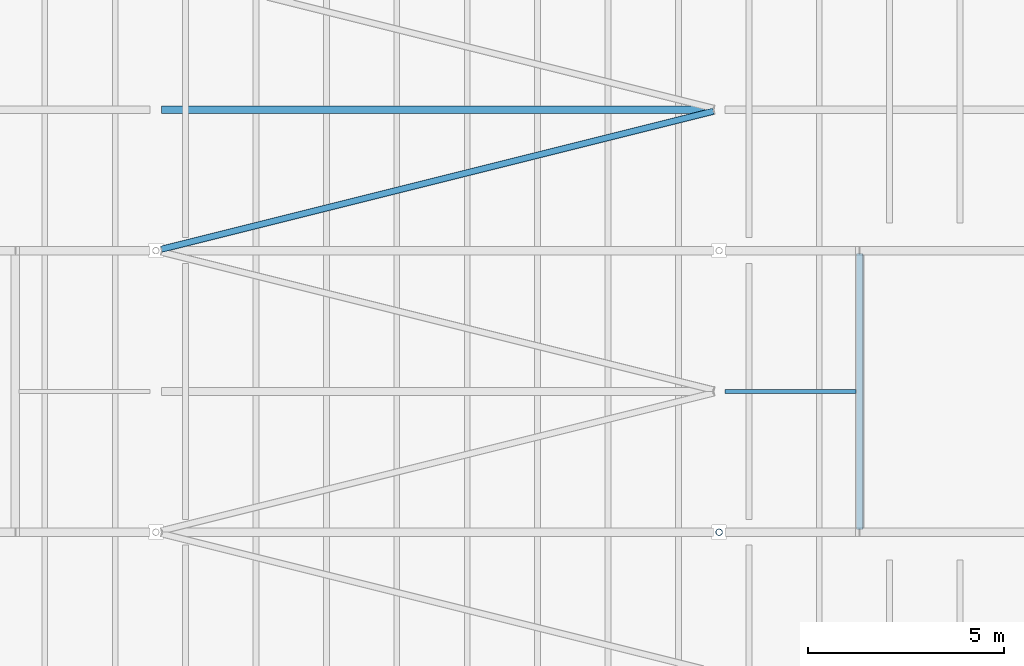
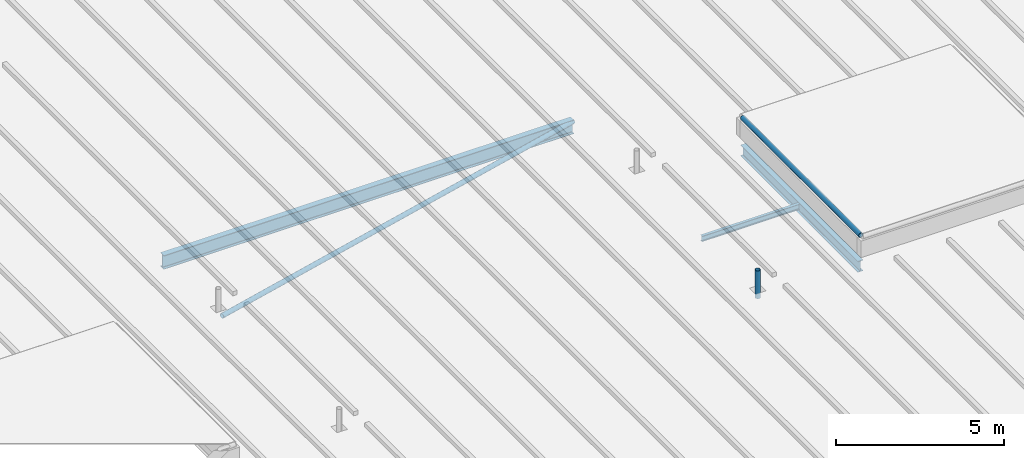
# One storey, part 46 of 120: 3 beams, 3 members.
"""IFC4 building model written with IfcOpenShell, lengths in metres."""

from ifc_helpers import new_model, si_unit, direction, frame, origin, origin_2d, place, context, subcontext, project, spatial, hollow_circle, i_section, extrude, material, material_profile, profile_set, type_object, element, save


model = new_model("IFC4")

# Units and contexts
model_context = context("Model", 3, precision=1e-05, world=origin(), true_north=direction((0.0, 1.0)))
body_context = subcontext(model_context, "Body", "Model", "MODEL_VIEW")
ifc_project = project(units=[si_unit("LENGTHUNIT", "METRE"), si_unit("AREAUNIT", "SQUARE_METRE"), si_unit("VOLUMEUNIT", "CUBIC_METRE"), si_unit("PLANEANGLEUNIT", "RADIAN"), si_unit("MASSUNIT", "GRAM", prefix="KILO")], contexts=[model_context])

# Site, building, storey
site_placement = place(None, origin())
site = spatial("IfcSite", under=ifc_project, at=site_placement, CompositionType="ELEMENT")
building_placement = place(site_placement, origin())
building = spatial("IfcBuilding", under=site, at=building_placement, Name="Kupolbacken Congress Centre", CompositionType="ELEMENT")
storey_placement = place(building_placement, frame((0.0, 0.0, 21.60009765625)))
storey = spatial("IfcBuildingStorey", under=building, at=storey_placement, Name="L06", CompositionType="ELEMENT", Elevation=21.60009765625)

# Beams
ifc_material_1 = material(Name="Steel S355", Category="steel")
ifc_material_profile_1 = material_profile(ifc_material_1, i_section(OverallWidth=0.10009765625, OverallDepth=0.199951171875, WebThickness=0.005615234375, FlangeThickness=0.008544921875, FilletRadius=0.011962890625, at=origin_2d()), Name="IPE 200")
ifc_profile_set_1 = profile_set([ifc_material_profile_1], Name="Steel S355")
beam_type_1 = type_object("IfcBeamType", Name="B01 beam IPE 200", PredefinedType="BEAM", material=ifc_profile_set_1)
beam_1_placement = place(storey_placement, frame((165.7451171875, 79.199951171875, -0.10009765625), z_axis=(1.0, 0.0, 0.0), x_axis=(0.0, 1.0, 0.0)))
element("IfcBeam", 1, at=beam_1_placement, inside=storey, type_object=beam_type_1, Name="HR/P10-06-0", PredefinedType="BEAM", context=body_context, shape_type="SweptSolid", body=[
    extrude(i_section(OverallWidth=0.10009765625, OverallDepth=0.199951171875, WebThickness=0.005615234375, FlangeThickness=0.008544921875, FilletRadius=0.011962890625, at=origin_2d()), origin(), (0.0, 0.0, 1.0), 3.35498046875),
])
ifc_material_2 = material(Name="Steel S355", Category="steel")
ifc_material_profile_2 = material_profile(ifc_material_2, i_section(OverallWidth=0.179931640625, OverallDepth=0.39990234375, WebThickness=0.008544921875, FlangeThickness=0.013427734375, FilletRadius=0.02099609375, at=origin_2d()), Name="IPE 400")
ifc_profile_set_2 = profile_set([ifc_material_profile_2], Name="Steel S355")
beam_type_2 = type_object("IfcBeamType", Name="B07 beam IPE 400", PredefinedType="BEAM", material=ifc_profile_set_2)
beam_2_placement = place(storey_placement, frame((169.199951171875, 75.699951171875, -0.2001953125), z_axis=(0.0, 1.0, 0.0), x_axis=(-1.0, 0.0, 0.0)))
element("IfcBeam", 2, at=beam_2_placement, inside=storey, type_object=beam_type_2, Name="HR/CT8W", PredefinedType="BEAM", context=body_context, shape_type="SweptSolid", body=[
    extrude(i_section(OverallWidth=0.179931640625, OverallDepth=0.39990234375, WebThickness=0.008544921875, FlangeThickness=0.013427734375, FilletRadius=0.02099609375, at=origin_2d()), origin(), (0.0, 0.0, 1.0), 7.0),
])
ifc_material_3 = material(Name="Steel S355", Category="steel")
ifc_material_profile_3 = material_profile(ifc_material_3, i_section(OverallWidth=0.199951171875, OverallDepth=0.5, WebThickness=0.01025390625, FlangeThickness=0.01611328125, FilletRadius=0.02099609375, at=origin_2d()), Name="IPE 500")
ifc_profile_set_3 = profile_set([ifc_material_profile_3], Name="Steel S355")
beam_type_3 = type_object("IfcBeamType", Name="B09 beam IPE 500", PredefinedType="BEAM", material=ifc_profile_set_3)
beam_3_placement = place(storey_placement, frame((151.344970703125, 86.39990234375, -0.25), z_axis=(1.0, 0.0, 0.0), x_axis=(0.0, 1.0, 0.0)))
element("IfcBeam", 3, at=beam_3_placement, inside=storey, type_object=beam_type_3, Name="HR/P12-05", PredefinedType="BEAM", context=body_context, shape_type="SweptSolid", body=[
    extrude(i_section(OverallWidth=0.199951171875, OverallDepth=0.5, WebThickness=0.01025390625, FlangeThickness=0.01611328125, FilletRadius=0.02099609375, at=origin_2d()), origin(), (0.0, 0.0, 1.0), 14.110107421875),
])

# Members
ifc_material_4 = material(Name="Steel S355", Category="steel")
ifc_material_profile_4 = material_profile(ifc_material_4, hollow_circle(Radius=0.084228515625, WallThickness=0.008056640625, at=origin_2d()), Name="CHS 168.3 x 8")
ifc_profile_set_4 = profile_set([ifc_material_profile_4], Name="Steel S355")
member_type_1 = type_object("IfcMemberType", Name="M20 transfer truss post CHS 168.3 x 8", PredefinedType="STRUT", material=ifc_profile_set_4)
member_1_placement = place(storey_placement, frame((165.60009765625, 75.60009765625, -0.010009765625), z_axis=(0.0, 0.0, 1.0), x_axis=(1.0, 0.0, 0.0)))
element("IfcMember", 4, at=member_1_placement, inside=storey, type_object=member_type_1, Name="Roof stay anchor post M6S.2", PredefinedType="STRUT", context=body_context, shape_type="SweptSolid", body=[
    extrude(hollow_circle(Radius=0.084228515625, WallThickness=0.008056640625, at=origin_2d()), origin(), (0.0, 0.0, 1.0), 1.010009765625),
])
ifc_material_5 = material(Name="Steel S355", Category="steel")
ifc_material_profile_5 = material_profile(ifc_material_5, hollow_circle(Radius=0.084228515625, WallThickness=0.008056640625, at=origin_2d()), Name="CHS 168.3 x 8")
ifc_profile_set_5 = profile_set([ifc_material_profile_5], Name="Steel S355")
member_type_2 = type_object("IfcMemberType", Name="M21 brace CHS 168.3 x 8", PredefinedType="BRACE", material=ifc_profile_set_5)
member_2_placement = place(storey_placement, frame((151.340576171875, 82.835205078125, -0.084228515625), z_axis=(0.970144473737, 0.242527730535, 0.0), x_axis=(-0.242527730535, 0.970144473737, 0.0)))
element("IfcMember", 5, at=member_2_placement, inside=storey, type_object=member_type_2, Name="HR/RB/05-11", PredefinedType="BRACE", context=body_context, shape_type="SweptSolid", body=[
    extrude(hollow_circle(Radius=0.084228515625, WallThickness=0.008056640625, at=origin_2d()), origin(), (0.0, 0.0, 1.0), 14.55322265625),
])
member_3_placement = place(storey_placement, frame((169.199951171875, 75.674072265625, 0.944091796875), z_axis=(0.0, 1.0, 0.0), x_axis=(-1.0, 0.0, 0.0)))
element("IfcMember", 6, at=member_3_placement, inside=storey, type_object=member_type_2, Name="RD/RL8/FW", PredefinedType="BRACE", context=body_context, shape_type="SweptSolid", body=[
    extrude(hollow_circle(Radius=0.084228515625, WallThickness=0.008056640625, at=origin_2d()), origin(), (0.0, 0.0, 1.0), 7.0517578125),
])

save(model, "model.ifc")
